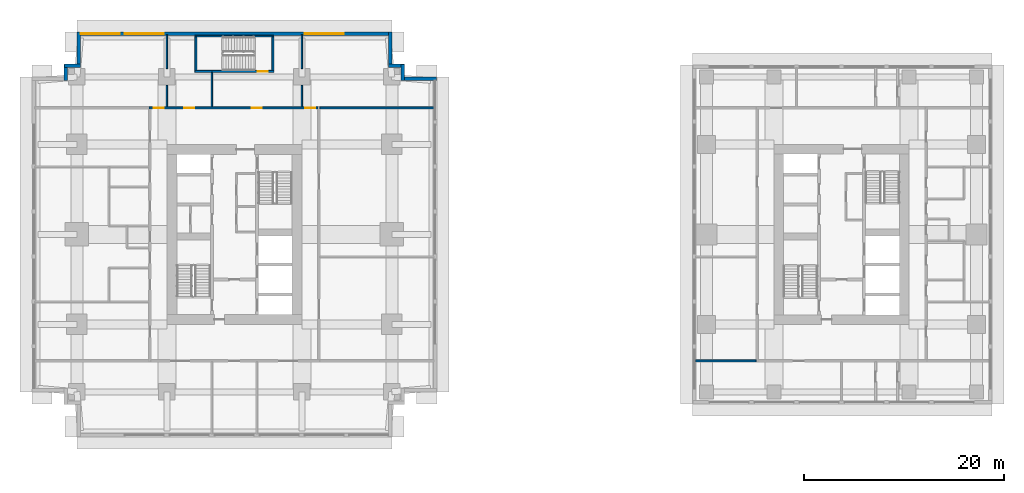
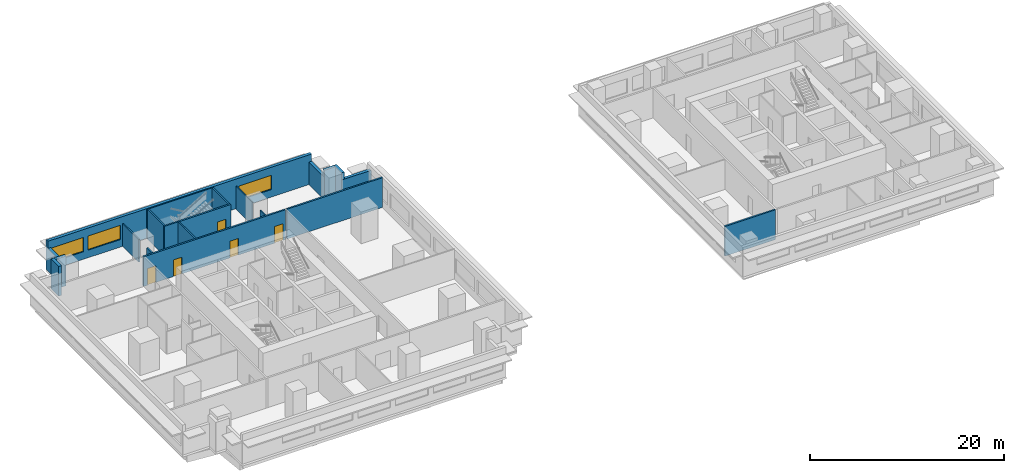
# One storey, part 5 of 11: 20 walls, 5 doors, 3 windows, 8 openings.
"""IFC4 building model written with IfcOpenShell, lengths in metres."""

from ifc_helpers import new_model, si_unit, direction, frame, frame_2d, origin, place, context, subcontext, project, spatial, rectangle, extrude, material, layer, layer_set, type_object, element, fill, save


model = new_model("IFC4")

# Units and contexts
model_context = context("Model", 3, precision=1e-05, world=origin(), true_north=direction((0.0, 1.0)))
body_context = subcontext(model_context, "Body", "Model", "MODEL_VIEW")
ifc_project = project(units=[si_unit("LENGTHUNIT", "METRE"), si_unit("AREAUNIT", "SQUARE_METRE"), si_unit("VOLUMEUNIT", "CUBIC_METRE"), si_unit("PLANEANGLEUNIT", "RADIAN"), si_unit("MASSUNIT", "GRAM", prefix="KILO")], contexts=[model_context])

# Site, building, storey
site_placement = place(None, origin())
site = spatial("IfcSite", under=ifc_project, at=site_placement, CompositionType="ELEMENT")
building_placement = place(site_placement, origin())
building = spatial("IfcBuilding", under=site, at=building_placement, Name="Namib Vertical Campus", CompositionType="ELEMENT")
storey_placement = place(building_placement, frame((0.0, 0.0, 189.0)))
storey = spatial("IfcBuildingStorey", under=building, at=storey_placement, Name="L44", CompositionType="ELEMENT", Elevation=189.0)

# Wall, openings, doors
ifc_material_1 = material(Name="Concrete masonry", Category="masonry")
ifc_layer_1 = layer(ifc_material_1, 0.199951171875)
ifc_layer_set_1 = layer_set([ifc_layer_1], Name="Corridor wall 200")
wall_type_1 = type_object("IfcWallType", Name="Corridor wall 200", PredefinedType="SOLIDWALL", material=ifc_layer_set_1)
wall_1_placement = place(storey_placement, frame((28.60009765625, 32.89990234375, 0.0), z_axis=(0.0, 0.0, 1.0), x_axis=(-1.0, 0.0, 0.0)))
wall_1 = element("IfcWall", 1, at=wall_1_placement, inside=storey, type_object=wall_type_1, Name="Corridor wall A L44 CN", PredefinedType="SOLIDWALL", context=body_context, shape_type="SweptSolid", body=[
    extrude(rectangle(XDim=16.900146484375, YDim=0.199951171875, at=frame_2d((8.4501953125, 0.0))), origin(), (0.0, 0.0, 1.0), 3.75),
])
opening_1_placement = place(wall_1_placement, frame((15.425048828125, 0.0, 0.0)))
opening_1 = element("IfcOpeningElement", 2, at=opening_1_placement, cuts=wall_1, Name="Opening CD1", PredefinedType="OPENING", context=body_context, shape_type="SweptSolid", body=[
    extrude(rectangle(XDim=1.0, YDim=2.10009765625, at=frame_2d((0.5, 1.050048828125))), frame((0.0, 0.10986328125, 0.0), z_axis=(0.0, -1.0, 0.0), x_axis=(1.0, 0.0, 0.0)), (0.0, 0.0, 1.0), 0.219970703125),
])
opening_2_placement = place(wall_1_placement, frame((12.35009765625, 0.0, 0.0)))
opening_2 = element("IfcOpeningElement", 3, at=opening_2_placement, cuts=wall_1, Name="Opening CD1", PredefinedType="OPENING", context=body_context, shape_type="SweptSolid", body=[
    extrude(rectangle(XDim=1.0, YDim=2.10009765625, at=frame_2d((0.5, 1.050048828125))), frame((0.0, 0.10986328125, 0.0), z_axis=(0.0, -1.0, 0.0), x_axis=(1.0, 0.0, 0.0)), (0.0, 0.0, 1.0), 0.219970703125),
])
opening_3_placement = place(wall_1_placement, frame((5.60009765625, 0.0, 0.0)))
opening_3 = element("IfcOpeningElement", 4, at=opening_3_placement, cuts=wall_1, Name="Opening CD1", PredefinedType="OPENING", context=body_context, shape_type="SweptSolid", body=[
    extrude(rectangle(XDim=1.0, YDim=2.10009765625, at=frame_2d((0.5, 1.050048828125))), frame((0.0, 0.10986328125, 0.0), z_axis=(0.0, -1.0, 0.0), x_axis=(1.0, 0.0, 0.0)), (0.0, 0.0, 1.0), 0.219970703125),
])
opening_4_placement = place(wall_1_placement, frame((0.27490234375, 0.0, 0.0)))
opening_4 = element("IfcOpeningElement", 5, at=opening_4_placement, cuts=wall_1, Name="Opening CD1", PredefinedType="OPENING", context=body_context, shape_type="SweptSolid", body=[
    extrude(rectangle(XDim=1.0, YDim=2.10009765625, at=frame_2d((0.5, 1.050048828125))), frame((0.0, 0.10986328125, 0.0), z_axis=(0.0, -1.0, 0.0), x_axis=(1.0, 0.0, 0.0)), (0.0, 0.0, 1.0), 0.219970703125),
])
ifc_material_2 = material(Name="Timber fire door leaf", Category="wood")
door_type_1 = type_object("IfcDoorType", Name="Corridor door 1000x2100 20 min", OperationType="SINGLE_SWING_LEFT", PredefinedType="DOOR", material=ifc_material_2)
door_1_placement = place(opening_1_placement, frame((1.0, 0.0, 0.0), z_axis=(0.0, 0.0, 1.0), x_axis=(-1.0, 0.0, 0.0)))
door_1 = element("IfcDoor", 6, at=door_1_placement, inside=storey, type_object=door_type_1, Name="Door CD1 A44-06", OperationType="SINGLE_SWING_RIGHT", OverallHeight=2.10009765625, OverallWidth=1.0, PredefinedType="DOOR", context=body_context, shape_type="SweptSolid", body=[
    extrude(rectangle(XDim=1.0, YDim=2.10009765625, at=frame_2d((0.5, 1.050048828125))), frame((0.0, 0.02490234375, 0.0), z_axis=(0.0, -1.0, 0.0), x_axis=(1.0, 0.0, 0.0)), (0.0, 0.0, 1.0), 0.050048828125),
])
fill(opening_1, door_1)
door_2_placement = place(opening_2_placement, frame((1.0, 0.0, 0.0), z_axis=(0.0, 0.0, 1.0), x_axis=(-1.0, 0.0, 0.0)))
door_2 = element("IfcDoor", 7, at=door_2_placement, inside=storey, type_object=door_type_1, Name="Door CD1 A44-07", OperationType="SINGLE_SWING_RIGHT", OverallHeight=2.10009765625, OverallWidth=1.0, PredefinedType="DOOR", context=body_context, shape_type="SweptSolid", body=[
    extrude(rectangle(XDim=1.0, YDim=2.10009765625, at=frame_2d((0.5, 1.050048828125))), frame((0.0, 0.02490234375, 0.0), z_axis=(0.0, -1.0, 0.0), x_axis=(1.0, 0.0, 0.0)), (0.0, 0.0, 1.0), 0.050048828125),
])
fill(opening_2, door_2)
door_3_placement = place(opening_3_placement, frame((1.0, 0.0, 0.0), z_axis=(0.0, 0.0, 1.0), x_axis=(-1.0, 0.0, 0.0)))
door_3 = element("IfcDoor", 8, at=door_3_placement, inside=storey, type_object=door_type_1, Name="Door CD1 A44-08", OperationType="SINGLE_SWING_RIGHT", OverallHeight=2.10009765625, OverallWidth=1.0, PredefinedType="DOOR", context=body_context, shape_type="SweptSolid", body=[
    extrude(rectangle(XDim=1.0, YDim=2.10009765625, at=frame_2d((0.5, 1.050048828125))), frame((0.0, 0.02490234375, 0.0), z_axis=(0.0, -1.0, 0.0), x_axis=(1.0, 0.0, 0.0)), (0.0, 0.0, 1.0), 0.050048828125),
])
fill(opening_3, door_3)
door_4_placement = place(opening_4_placement, frame((1.0, 0.0, 0.0), z_axis=(0.0, 0.0, 1.0), x_axis=(-1.0, 0.0, 0.0)))
door_4 = element("IfcDoor", 9, at=door_4_placement, inside=storey, type_object=door_type_1, Name="Door CD1 A44-09", OperationType="SINGLE_SWING_LEFT", OverallHeight=2.10009765625, OverallWidth=1.0, PredefinedType="DOOR", context=body_context, shape_type="SweptSolid", body=[
    extrude(rectangle(XDim=1.0, YDim=2.10009765625, at=frame_2d((0.5, 1.050048828125))), frame((0.0, 0.02490234375, 0.0), z_axis=(0.0, -1.0, 0.0), x_axis=(1.0, 0.0, 0.0)), (0.0, 0.0, 1.0), 0.050048828125),
])
fill(opening_4, door_4)

# Walls
wall_2_placement = place(storey_placement, frame((28.800048828125, 32.89990234375, 0.0), z_axis=(0.0, 0.0, 1.0), x_axis=(1.0, 0.0, 0.0)))
element("IfcWall", 10, at=wall_2_placement, inside=storey, type_object=wall_type_1, Name="Partition A L44 BNE", PredefinedType="SOLIDWALL", context=body_context, shape_type="SweptSolid", body=[
    extrude(rectangle(XDim=11.39990234375, YDim=0.199951171875, at=frame_2d((5.699951171875, 0.0))), origin(), (0.0, 0.0, 1.0), 3.75),
])
wall_3_placement = place(storey_placement, frame((66.39990234375, 7.60009765625, 0.0), z_axis=(0.0, 0.0, 1.0), x_axis=(1.0, 0.0, 0.0)))
element("IfcWall", 11, at=wall_3_placement, inside=storey, type_object=wall_type_1, Name="Partition B L44 BSW", PredefinedType="SOLIDWALL", context=body_context, shape_type="SweptSolid", body=[
    extrude(rectangle(XDim=6.050048828125, YDim=0.199951171875, at=frame_2d((3.02490234375, 0.0))), origin(), (0.0, 0.0, 1.0), 3.75),
])
ifc_material_3 = material(Name="Concrete C40/50", Category="concrete")
ifc_layer_2 = layer(ifc_material_3, 0.35009765625)
ifc_layer_set_2 = layer_set([ifc_layer_2], Name="Concrete C40/50")
wall_type_2 = type_object("IfcWallType", Name="External wall 350 bush-hammered concrete", PredefinedType="STANDARD", material=ifc_layer_set_2)
wall_4_placement = place(storey_placement, frame((40.47998046875, 35.824951171875, 0.0), z_axis=(0.0, 0.0, 1.0), x_axis=(-1.0, 0.0, 0.0)))
element("IfcWall", 12, at=wall_4_placement, inside=storey, type_object=wall_type_2, Name="External wall L44 F07", PredefinedType="STANDARD", context=body_context, shape_type="SweptSolid", body=[
    extrude(rectangle(XDim=3.534912109375, YDim=0.35009765625, at=frame_2d((1.767578125, 0.0))), origin(), (0.0, 0.0, 1.0), 2.85009765625),
])
for number, where, z_axis, x_axis, name in (
    (13, (37.10009765625, 35.669921875, 0.0), (0.0, 0.0, 1.0), (0.0, 1.0, 0.0), "External wall L44 F08"),
    (14, (37.2548828125, 37.10009765625, 0.0), (0.0, 0.0, 1.0), (-1.0, 0.0, 0.0), "External wall L44 F09"),
):
    element("IfcWall", number, at=place(storey_placement, frame(where, z_axis=z_axis, x_axis=x_axis)), inside=storey, type_object=wall_type_2, Name=name, PredefinedType="STANDARD", context=body_context, shape_type="SweptSolid", body=[
        extrude(rectangle(XDim=1.5849609375, YDim=0.35009765625, at=frame_2d((0.79248046875, 0.0))), origin(), (0.0, 0.0, 1.0), 3.75),
    ])
wall_5_placement = place(storey_placement, frame((35.824951171875, 36.945068359375, 0.0), z_axis=(0.0, 0.0, 1.0), x_axis=(0.0, 1.0, 0.0)))
element("IfcWall", 15, at=wall_5_placement, inside=storey, type_object=wall_type_2, Name="External wall L44 F10", PredefinedType="STANDARD", context=body_context, shape_type="SweptSolid", body=[
    extrude(rectangle(XDim=3.534912109375, YDim=0.35009765625, at=frame_2d((1.767578125, 0.0))), origin(), (0.0, 0.0, 1.0), 2.85009765625),
])

# Wall, openings, windows
wall_6_placement = place(storey_placement, frame((35.97998046875, 40.324951171875, 0.0), z_axis=(0.0, 0.0, 1.0), x_axis=(-1.0, 0.0, 0.0)))
wall_6 = element("IfcWall", 16, at=wall_6_placement, inside=storey, type_object=wall_type_2, Name="External wall L44 F11", PredefinedType="STANDARD", context=body_context, shape_type="SweptSolid", body=[
    extrude(rectangle(XDim=31.4599609375, YDim=0.35009765625, at=frame_2d((15.72998046875, 0.0))), origin(), (0.0, 0.0, 1.0), 3.75),
])
opening_5_placement = place(wall_6_placement, frame((27.2099609375, 0.0, 0.949951171875)))
opening_5 = element("IfcOpeningElement", 17, at=opening_5_placement, cuts=wall_6, Name="Opening W3", PredefinedType="OPENING", context=body_context, shape_type="SweptSolid", body=[
    extrude(rectangle(XDim=3.89990234375, YDim=1.800048828125, at=frame_2d((1.949951171875, 0.89990234375))), frame((0.0, 0.18505859375, 0.0), z_axis=(0.0, -1.0, 0.0), x_axis=(1.0, 0.0, 0.0)), (0.0, 0.0, 1.0), 0.3701171875),
])
opening_6_placement = place(wall_6_placement, frame((22.780029296875, 0.0, 0.949951171875)))
opening_6 = element("IfcOpeningElement", 18, at=opening_6_placement, cuts=wall_6, Name="Opening W3", PredefinedType="OPENING", context=body_context, shape_type="SweptSolid", body=[
    extrude(rectangle(XDim=3.89990234375, YDim=1.800048828125, at=frame_2d((1.949951171875, 0.89990234375))), frame((0.0, 0.18505859375, 0.0), z_axis=(0.0, -1.0, 0.0), x_axis=(1.0, 0.0, 0.0)), (0.0, 0.0, 1.0), 0.3701171875),
])
opening_7_placement = place(wall_6_placement, frame((4.780029296875, 0.0, 0.949951171875)))
opening_7 = element("IfcOpeningElement", 19, at=opening_7_placement, cuts=wall_6, Name="Opening W3", PredefinedType="OPENING", context=body_context, shape_type="SweptSolid", body=[
    extrude(rectangle(XDim=3.89990234375, YDim=1.800048828125, at=frame_2d((1.949951171875, 0.89990234375))), frame((0.0, 0.18505859375, 0.0), z_axis=(0.0, -1.0, 0.0), x_axis=(1.0, 0.0, 0.0)), (0.0, 0.0, 1.0), 0.3701171875),
])
ifc_material_4 = material(Name="Dark tinted glass in black aluminium frame", Category="aluminium")
window_type = type_object("IfcWindowType", Name="Ribbon window 3900x1800", PartitioningType="SINGLE_PANEL", PredefinedType="WINDOW", material=ifc_material_4)
window_1_placement = place(opening_5_placement, origin())
window_1 = element("IfcWindow", 20, at=window_1_placement, inside=storey, type_object=window_type, Name="Window W3 L44 F11-1", OverallHeight=1.800048828125, OverallWidth=3.89990234375, PartitioningType="SINGLE_PANEL", PredefinedType="WINDOW", context=body_context, shape_type="SweptSolid", body=[
    extrude(rectangle(XDim=3.89990234375, YDim=1.800048828125, at=frame_2d((1.949951171875, 0.89990234375))), frame((0.0, 0.030029296875, 0.0), z_axis=(0.0, -1.0, 0.0), x_axis=(1.0, 0.0, 0.0)), (0.0, 0.0, 1.0), 0.06005859375),
])
fill(opening_5, window_1)
window_2_placement = place(opening_6_placement, origin())
window_2 = element("IfcWindow", 21, at=window_2_placement, inside=storey, type_object=window_type, Name="Window W3 L44 F11-2", OverallHeight=1.800048828125, OverallWidth=3.89990234375, PartitioningType="SINGLE_PANEL", PredefinedType="WINDOW", context=body_context, shape_type="SweptSolid", body=[
    extrude(rectangle(XDim=3.89990234375, YDim=1.800048828125, at=frame_2d((1.949951171875, 0.89990234375))), frame((0.0, 0.030029296875, 0.0), z_axis=(0.0, -1.0, 0.0), x_axis=(1.0, 0.0, 0.0)), (0.0, 0.0, 1.0), 0.06005859375),
])
fill(opening_6, window_2)
window_3_placement = place(opening_7_placement, origin())
window_3 = element("IfcWindow", 22, at=window_3_placement, inside=storey, type_object=window_type, Name="Window W3 L44 F11-6", OverallHeight=1.800048828125, OverallWidth=3.89990234375, PartitioningType="SINGLE_PANEL", PredefinedType="WINDOW", context=body_context, shape_type="SweptSolid", body=[
    extrude(rectangle(XDim=3.89990234375, YDim=1.800048828125, at=frame_2d((1.949951171875, 0.89990234375))), frame((0.0, 0.030029296875, 0.0), z_axis=(0.0, -1.0, 0.0), x_axis=(1.0, 0.0, 0.0)), (0.0, 0.0, 1.0), 0.06005859375),
])
fill(opening_7, window_3)

# Walls
wall_7_placement = place(storey_placement, frame((4.675048828125, 40.47998046875, 0.0), z_axis=(0.0, 0.0, 1.0), x_axis=(0.0, -1.0, 0.0)))
element("IfcWall", 23, at=wall_7_placement, inside=storey, type_object=wall_type_2, Name="External wall L44 F12", PredefinedType="STANDARD", context=body_context, shape_type="SweptSolid", body=[
    extrude(rectangle(XDim=3.534912109375, YDim=0.35009765625, at=frame_2d((1.767578125, 0.0))), origin(), (0.0, 0.0, 1.0), 2.85009765625),
])
for number, where, z_axis, x_axis, name in (
    (24, (4.830078125, 37.10009765625, 0.0), (0.0, 0.0, 1.0), (-1.0, 0.0, 0.0), "External wall L44 F13"),
    (25, (3.39990234375, 37.2548828125, 0.0), (0.0, 0.0, 1.0), (0.0, -1.0, 0.0), "External wall L44 F14"),
):
    element("IfcWall", number, at=place(storey_placement, frame(where, z_axis=z_axis, x_axis=x_axis)), inside=storey, type_object=wall_type_2, Name=name, PredefinedType="STANDARD", context=body_context, shape_type="SweptSolid", body=[
        extrude(rectangle(XDim=1.5849609375, YDim=0.35009765625, at=frame_2d((0.79248046875, 0.0))), origin(), (0.0, 0.0, 1.0), 3.75),
    ])
ifc_material_5 = material(Name="Gypsum board on steel studs", Category="steel")
ifc_layer_3 = layer(ifc_material_5, 0.14990234375)
ifc_layer_set_3 = layer_set([ifc_layer_3], Name="Gypsum board on steel studs")
wall_type_3 = type_object("IfcWallType", Name="Partition 150", PredefinedType="PARTITIONING", material=ifc_layer_set_3)
wall_8_placement = place(storey_placement, frame((13.5, 33.0, 0.0), z_axis=(0.0, 0.0, 1.0), x_axis=(0.0, 1.0, 0.0)))
element("IfcWall", 26, at=wall_8_placement, inside=storey, type_object=wall_type_3, Name="Partition A L44 PN1", PredefinedType="PARTITIONING", context=body_context, shape_type="SweptSolid", body=[
    extrude(rectangle(XDim=2.155029296875, YDim=0.14990234375, at=frame_2d((1.07763671875, 0.0))), origin(), (0.0, 0.0, 1.0), 2.85009765625),
])
wall_9_placement = place(storey_placement, frame((13.5, 36.844970703125, 0.0), z_axis=(0.0, 0.0, 1.0), x_axis=(0.0, 1.0, 0.0)))
element("IfcWall", 27, at=wall_9_placement, inside=storey, type_object=wall_type_3, Name="Partition A L44 PN1", PredefinedType="PARTITIONING", context=body_context, shape_type="SweptSolid", body=[
    extrude(rectangle(XDim=3.35498046875, YDim=0.14990234375, at=frame_2d((1.677490234375, 0.0))), origin(), (0.0, 0.0, 1.0), 2.85009765625),
])
wall_10_placement = place(storey_placement, frame((18.0, 33.0, 0.0), z_axis=(0.0, 0.0, 1.0), x_axis=(0.0, 1.0, 0.0)))
element("IfcWall", 28, at=wall_10_placement, inside=storey, type_object=wall_type_3, Name="Partition A L44 PN2", PredefinedType="PARTITIONING", context=body_context, shape_type="SweptSolid", body=[
    extrude(rectangle(XDim=3.449951171875, YDim=0.14990234375, at=frame_2d((1.72509765625, 0.0))), origin(), (0.0, 0.0, 1.0), 3.75),
])
wall_11_placement = place(storey_placement, frame((27.0, 33.0, 0.0), z_axis=(0.0, 0.0, 1.0), x_axis=(0.0, 1.0, 0.0)))
element("IfcWall", 29, at=wall_11_placement, inside=storey, type_object=wall_type_3, Name="Partition A L44 PN3", PredefinedType="PARTITIONING", context=body_context, shape_type="SweptSolid", body=[
    extrude(rectangle(XDim=2.155029296875, YDim=0.14990234375, at=frame_2d((1.07763671875, 0.0))), origin(), (0.0, 0.0, 1.0), 2.85009765625),
])
wall_12_placement = place(storey_placement, frame((27.0, 36.844970703125, 0.0), z_axis=(0.0, 0.0, 1.0), x_axis=(0.0, 1.0, 0.0)))
element("IfcWall", 30, at=wall_12_placement, inside=storey, type_object=wall_type_3, Name="Partition A L44 PN3", PredefinedType="PARTITIONING", context=body_context, shape_type="SweptSolid", body=[
    extrude(rectangle(XDim=3.35498046875, YDim=0.14990234375, at=frame_2d((1.677490234375, 0.0))), origin(), (0.0, 0.0, 1.0), 2.85009765625),
])
ifc_material_6 = material(Name="Concrete C40/50", Category="concrete")
ifc_layer_4 = layer(ifc_material_6, 0.14990234375)
ifc_layer_set_4 = layer_set([ifc_layer_4], Name="Concrete C40/50")
wall_type_4 = type_object("IfcWallType", Name="Stair enclosure wall RC 150", PredefinedType="SOLIDWALL", material=ifc_layer_set_4)
wall_13_placement = place(storey_placement, frame((16.300048828125, 40.074951171875, 0.0), z_axis=(0.0, 0.0, 1.0), x_axis=(1.0, 0.0, 0.0)))
element("IfcWall", 31, at=wall_13_placement, inside=storey, type_object=wall_type_4, Name="Stair enclosure wall A-S3 L44 N", PredefinedType="SOLIDWALL", context=body_context, shape_type="SweptSolid", body=[
    extrude(rectangle(XDim=7.89990234375, YDim=0.14990234375, at=frame_2d((3.949951171875, 0.0))), origin(), (0.0, 0.0, 1.0), 3.75),
])

# Wall, opening, door
ifc_material_7 = material(Name="Concrete C40/50", Category="concrete")
ifc_layer_5 = layer(ifc_material_7, 0.199951171875)
ifc_layer_set_5 = layer_set([ifc_layer_5], Name="Concrete C40/50")
wall_type_5 = type_object("IfcWallType", Name="Stair enclosure wall RC 200", PredefinedType="SOLIDWALL", material=ifc_layer_set_5)
wall_14_placement = place(storey_placement, frame((16.300048828125, 36.550048828125, 0.0), z_axis=(0.0, 0.0, 1.0), x_axis=(1.0, 0.0, 0.0)))
wall_14 = element("IfcWall", 32, at=wall_14_placement, inside=storey, type_object=wall_type_5, Name="Stair enclosure wall A-S3 L44 S", PredefinedType="SOLIDWALL", context=body_context, shape_type="SweptSolid", body=[
    extrude(rectangle(XDim=7.89990234375, YDim=0.199951171875, at=frame_2d((3.949951171875, 0.0))), origin(), (0.0, 0.0, 1.0), 3.75),
])
opening_8_placement = place(wall_14_placement, frame((6.300048828125, 0.0, 0.0)))
opening_8 = element("IfcOpeningElement", 33, at=opening_8_placement, cuts=wall_14, Name="Opening FD1", PredefinedType="OPENING", context=body_context, shape_type="SweptSolid", body=[
    extrude(rectangle(XDim=1.0, YDim=2.10009765625, at=frame_2d((0.5, 1.050048828125))), frame((0.0, 0.10986328125, 0.0), z_axis=(0.0, -1.0, 0.0), x_axis=(1.0, 0.0, 0.0)), (0.0, 0.0, 1.0), 0.219970703125),
])
ifc_material_8 = material(Name="Steel fire door", Category="steel")
door_type_2 = type_object("IfcDoorType", Name="Fire door 1000x2100", OperationType="SINGLE_SWING_RIGHT", PredefinedType="DOOR", material=ifc_material_8)
door_5_placement = place(opening_8_placement, origin())
door_5 = element("IfcDoor", 34, at=door_5_placement, inside=storey, type_object=door_type_2, Name="Stair door FD1 A L44 S3", OperationType="SINGLE_SWING_RIGHT", OverallHeight=2.10009765625, OverallWidth=1.0, PredefinedType="DOOR", context=body_context, shape_type="SweptSolid", body=[
    extrude(rectangle(XDim=1.0, YDim=2.10009765625, at=frame_2d((0.5, 1.050048828125))), frame((0.0, 0.02490234375, 0.0), z_axis=(0.0, -1.0, 0.0), x_axis=(1.0, 0.0, 0.0)), (0.0, 0.0, 1.0), 0.050048828125),
])
fill(opening_8, door_5)

# Walls
for number, where, z_axis, x_axis, name in (
    (35, (16.39990234375, 36.64990234375, 0.0), (0.0, 0.0, 1.0), (0.0, 1.0, 0.0), "Stair enclosure wall A-S3 L44 W"),
    (36, (24.10009765625, 36.64990234375, 0.0), (0.0, 0.0, 1.0), (0.0, 1.0, 0.0), "Stair enclosure wall A-S3 L44 E"),
):
    element("IfcWall", number, at=place(storey_placement, frame(where, z_axis=z_axis, x_axis=x_axis)), inside=storey, type_object=wall_type_5, Name=name, PredefinedType="SOLIDWALL", context=body_context, shape_type="SweptSolid", body=[
        extrude(rectangle(XDim=3.35009765625, YDim=0.199951171875, at=frame_2d((1.675048828125, 0.0))), origin(), (0.0, 0.0, 1.0), 3.75),
    ])

save(model, "model.ifc")
